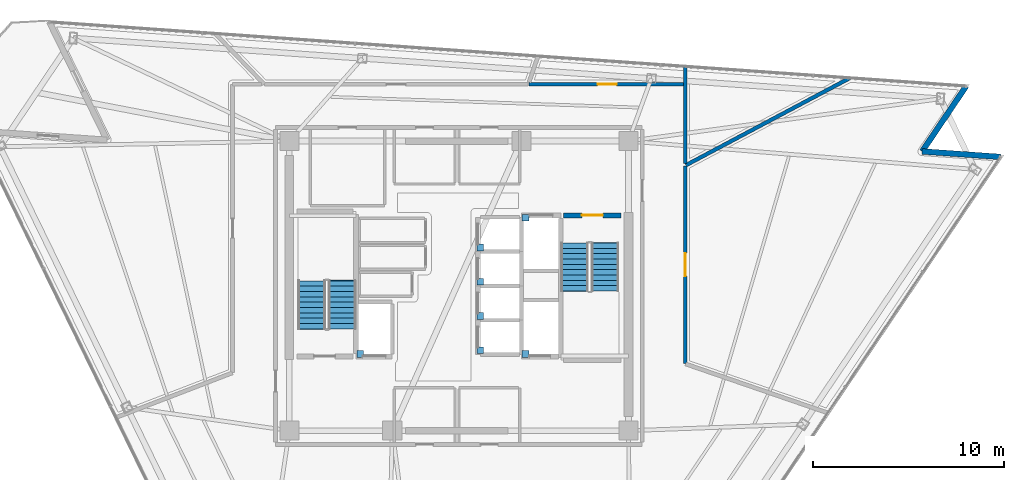
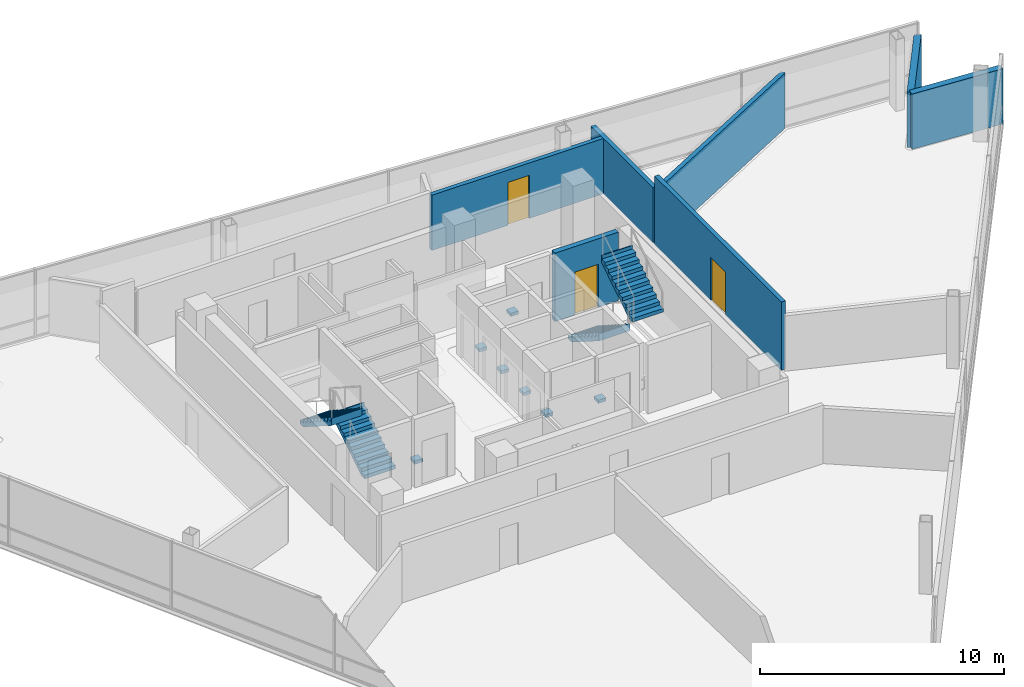
# One storey, part 11 of 14: 7 discrete accessories, 7 walls, 4 stair flights, 3 doors, 3 openings, 2 elements without a shape of their own.
"""IFC4 building model written with IfcOpenShell, lengths in metres."""

from ifc_helpers import new_model, si_unit, direction, frame, frame_2d, origin, origin_2d, place, context, subcontext, project, spatial, polyline, rectangle, outline, extrude, material, layer, layer_set, type_object, element, fill, aggregate, save


model = new_model("IFC4")

# Units and contexts
model_context = context("Model", 3, precision=1e-05, world=origin(), true_north=direction((0.0, 1.0)))
body_context = subcontext(model_context, "Body", "Model", "MODEL_VIEW")
ifc_project = project(units=[si_unit("LENGTHUNIT", "METRE"), si_unit("AREAUNIT", "SQUARE_METRE"), si_unit("VOLUMEUNIT", "CUBIC_METRE"), si_unit("PLANEANGLEUNIT", "RADIAN"), si_unit("MASSUNIT", "GRAM", prefix="KILO")], contexts=[model_context])

# Site, building, storey
site_placement = place(None, origin())
site = spatial("IfcSite", under=ifc_project, at=site_placement, CompositionType="ELEMENT")
building_placement = place(site_placement, origin())
building = spatial("IfcBuilding", under=site, at=building_placement, Name="Tharavind Bronze Gate", CompositionType="ELEMENT")
storey_placement = place(building_placement, frame((0.0, 0.0, 241.449951171875)))
storey = spatial("IfcBuildingStorey", under=building, at=storey_placement, Name="L62", CompositionType="ELEMENT", Elevation=241.449951171875)

# Walls
ifc_material_1 = material(Name="Concrete C40/50", Category="concrete")
ifc_layer_1 = layer(ifc_material_1, 0.300048828125)
ifc_layer_set_1 = layer_set([ifc_layer_1], Name="Concrete C40/50")
wall_type_1 = type_object("IfcWallType", Name="EXTERIOR SPANDREL WALL 300", PredefinedType="STANDARD", material=ifc_layer_set_1)
for number, where, z_axis, x_axis, name in (
    (1, (28.430419921875, 6.77001953125, 0.0), (0.0, 0.0, 1.0), (-0.997561808984, 0.069788518089, 0.0), "L62 notch cheek wall 3A"),
    (2, (24.3125, 7.05810546875, 0.0), (0.0, 0.0, 1.0), (0.559209737351, 0.829026217711, 0.0), "L62 notch cheek wall 3B"),
):
    element("IfcWall", number, at=place(storey_placement, frame(where, z_axis=z_axis, x_axis=x_axis)), inside=storey, type_object=wall_type_1, Name=name, PredefinedType="STANDARD", context=body_context, shape_type="SweptSolid", body=[
        extrude(rectangle(XDim=4.1279296875, YDim=0.300048828125, at=frame_2d((2.06396484375, 0.0))), origin(), (0.0, 0.0, 1.0), 2.76513671875),
    ])

# Wall, opening, door
ifc_material_2 = material(Name="Aerated Concrete Block", Category="concrete")
ifc_layer_2 = layer(ifc_material_2, 0.199951171875)
ifc_layer_set_2 = layer_set([ifc_layer_2], Name="Aerated Concrete Block")
wall_type_2 = type_object("IfcWallType", Name="FIRE RATED PARTITION 200", PredefinedType="PARTITIONING", material=ifc_layer_set_2)
wall_1_placement = place(storey_placement, frame((11.87939453125, 10.580078125, 0.0), z_axis=(0.0, 0.0, 1.0), x_axis=(-1.0, 0.0, 0.0)))
wall_1 = element("IfcWall", 3, at=wall_1_placement, inside=storey, type_object=wall_type_2, Name="L62 Open Plan Law Chambers partition", PredefinedType="PARTITIONING", context=body_context, shape_type="SweptSolid", body=[
    extrude(rectangle(XDim=8.201416015625, YDim=0.199951171875, at=frame_2d((4.1005859375, 0.0))), origin(), (0.0, 0.0, 1.0), 2.76513671875),
])
opening_1_placement = place(wall_1_placement, frame((3.60107421875, 0.0, 0.0)))
opening_1 = element("IfcOpeningElement", 4, at=opening_1_placement, cuts=wall_1, Name="Opening ID04", PredefinedType="OPENING", context=body_context, shape_type="SweptSolid", body=[
    extrude(rectangle(XDim=1.0, YDim=2.14990234375, at=frame_2d((0.5, 1.074951171875))), frame((0.0, 0.11009765625, 0.0), z_axis=(0.0, -1.0, 0.0), x_axis=(1.0, 0.0, 0.0)), (0.0, 0.0, 1.0), 0.219951171875),
])
ifc_material_3 = material(Name="Bronze Framed Acoustic Timber", Category="wood")
door_type_1 = type_object("IfcDoorType", Name="OFFICE TENANCY DOOR 1000X2150", OperationType="SINGLE_SWING_RIGHT", PredefinedType="DOOR", material=ifc_material_3)
door_1_placement = place(opening_1_placement, origin())
door_1 = element("IfcDoor", 5, at=door_1_placement, inside=storey, type_object=door_type_1, Name="L62 Open Plan Law Chambers door", OperationType="SINGLE_SWING_RIGHT", OverallHeight=2.14990234375, OverallWidth=1.0, PredefinedType="DOOR", context=body_context, shape_type="SweptSolid", body=[
    extrude(rectangle(XDim=1.0, YDim=2.14990234375, at=frame_2d((0.5, 1.074951171875))), frame((0.0, 0.02490234375, 0.0), z_axis=(0.0, -1.0, 0.0), x_axis=(1.0, 0.0, 0.0)), (0.0, 0.0, 1.0), 0.050048828125),
])
fill(opening_1, door_1)

# Walls
wall_2_placement = place(storey_placement, frame((20.513671875, 10.9072265625, 0.0), z_axis=(0.0, 0.0, 1.0), x_axis=(-0.882948468197, -0.46946991651, 0.0)))
element("IfcWall", 6, at=wall_2_placement, inside=storey, type_object=wall_type_2, Name="L62 Open Plan Law Chambers partition", PredefinedType="PARTITIONING", context=body_context, shape_type="SweptSolid", body=[
    extrude(rectangle(XDim=9.736572265625, YDim=0.199951171875, at=frame_2d((4.8681640625, 0.0))), origin(), (0.0, 0.0, 1.0), 2.76513671875),
])
wall_3_placement = place(storey_placement, frame((11.8798828125, 6.435546875, 0.0), z_axis=(0.0, 0.0, 1.0), x_axis=(0.0, 1.0, 0.0)))
element("IfcWall", 7, at=wall_3_placement, inside=storey, type_object=wall_type_2, Name="L62 Open Plan Law Chambers partition", PredefinedType="PARTITIONING", context=body_context, shape_type="SweptSolid", body=[
    extrude(rectangle(XDim=5.075439453125, YDim=0.199951171875, at=frame_2d((2.53759765625, 0.0))), origin(), (0.0, 0.0, 1.0), 2.76513671875),
])

# Wall, opening, door
wall_4_placement = place(storey_placement, frame((11.8798828125, -4.07275390625, 0.0), z_axis=(0.0, 0.0, 1.0), x_axis=(0.0, 1.0, 0.0)))
wall_4 = element("IfcWall", 8, at=wall_4_placement, inside=storey, type_object=wall_type_2, Name="L62 Mediation Briefing Room partition", PredefinedType="PARTITIONING", context=body_context, shape_type="SweptSolid", body=[
    extrude(rectangle(XDim=10.37451171875, YDim=0.199951171875, at=frame_2d((5.187255859375, 0.0))), origin(), (0.0, 0.0, 1.0), 3.420166015625),
])
opening_2_placement = place(wall_4_placement, frame((4.5869140625, 0.0, 0.0)))
opening_2 = element("IfcOpeningElement", 9, at=opening_2_placement, cuts=wall_4, Name="Opening ID05", PredefinedType="OPENING", context=body_context, shape_type="SweptSolid", body=[
    extrude(rectangle(XDim=1.199951171875, YDim=2.14990234375, at=frame_2d((0.60009765625, 1.074951171875))), frame((0.0, 0.11009765625, 0.0), z_axis=(0.0, -1.0, 0.0), x_axis=(1.0, 0.0, 0.0)), (0.0, 0.0, 1.0), 0.219951171875),
])
ifc_material_4 = material(Name="Acoustic Laminated Glass", Category="glass")
door_type_2 = type_object("IfcDoorType", Name="MEETING ROOM GLAZED DOOR 1200X2150", OperationType="SINGLE_SWING_LEFT", PredefinedType="DOOR", material=ifc_material_4)
door_2_placement = place(opening_2_placement, origin())
door_2 = element("IfcDoor", 10, at=door_2_placement, inside=storey, type_object=door_type_2, Name="L62 Mediation Briefing Room door", OperationType="SINGLE_SWING_LEFT", OverallHeight=2.14990234375, OverallWidth=1.199951171875, PredefinedType="DOOR", context=body_context, shape_type="SweptSolid", body=[
    extrude(rectangle(XDim=1.199951171875, YDim=2.14990234375, at=frame_2d((0.60009765625, 1.074951171875))), frame((0.0, 0.02490234375, 0.0), z_axis=(0.0, -1.0, 0.0), x_axis=(1.0, 0.0, 0.0)), (0.0, 0.0, 1.0), 0.050048828125),
])
fill(opening_2, door_2)

ifc_material_5 = material(Name="Concrete C50/60", Category="concrete")
ifc_layer_3 = layer(ifc_material_5, 0.25)
ifc_layer_set_3 = layer_set([ifc_layer_3], Name="Concrete C50/60")
wall_type_3 = type_object("IfcWallType", Name="RC CORE SHEAR WALL 250", PredefinedType="SHEAR", material=ifc_layer_set_3)
wall_5_placement = place(storey_placement, frame((5.5, 3.699951171875, 0.0), z_axis=(0.0, 0.0, 1.0), x_axis=(1.0, 0.0, 0.0)))
wall_5 = element("IfcWall", 11, at=wall_5_placement, inside=storey, type_object=wall_type_3, Name="L62 ST2 shaft north wall", PredefinedType="SHEAR", context=body_context, shape_type="SweptSolid", body=[
    extrude(rectangle(XDim=3.0, YDim=0.25, at=frame_2d((1.5, 0.0))), origin(), (0.0, 0.0, 1.0), 3.420166015625),
])
opening_3_placement = place(wall_5_placement, frame((0.949951171875, 0.0, 0.0)))
opening_3 = element("IfcOpeningElement", 12, at=opening_3_placement, cuts=wall_5, Name="Opening ID01", PredefinedType="OPENING", context=body_context, shape_type="SweptSolid", body=[
    extrude(rectangle(XDim=1.10009765625, YDim=2.14990234375, at=frame_2d((0.550048828125, 1.074951171875))), frame((0.0, 0.135, 0.0), z_axis=(0.0, -1.0, 0.0), x_axis=(1.0, 0.0, 0.0)), (0.0, 0.0, 1.0), 0.27),
])
ifc_material_6 = material(Name="Fire-Rated Steel", Category="steel")
door_type_3 = type_object("IfcDoorType", Name="STAIR CORE FIRE DOOR 1100X2150", OperationType="SINGLE_SWING_LEFT", PredefinedType="DOOR", material=ifc_material_6)
door_3_placement = place(opening_3_placement, frame((1.10009765625, 0.0, 0.0), z_axis=(0.0, 0.0, 1.0), x_axis=(-1.0, 0.0, 0.0)))
door_3 = element("IfcDoor", 13, at=door_3_placement, inside=storey, type_object=door_type_3, Name="L62 exit stair ST2 fire door", OperationType="SINGLE_SWING_LEFT", OverallHeight=2.14990234375, OverallWidth=1.10009765625, PredefinedType="DOOR", context=body_context, shape_type="SweptSolid", body=[
    extrude(rectangle(XDim=1.10009765625, YDim=2.14990234375, at=frame_2d((0.550048828125, 1.074951171875))), frame((0.0, 0.02490234375, 0.0), z_axis=(0.0, -1.0, 0.0), x_axis=(1.0, 0.0, 0.0)), (0.0, 0.0, 1.0), 0.050048828125),
])
fill(opening_3, door_3)

# Stair, stair flights
stair_type = type_object("IfcStairType", Name="CORE HALF TURN STAIR 1450", PredefinedType="HALF_TURN_STAIR", material=ifc_material_1)
stair_1_placement = place(storey_placement, origin())
stair_1 = element("IfcStair", 14, at=stair_1_placement, inside=storey, type_object=stair_type, Name="L62 Protected Exit Stair ST1", PredefinedType="HALF_TURN_STAIR")
stair_flight_type = type_object("IfcStairFlightType", Name="CORE STAIR FLIGHT 1450", PredefinedType="STRAIGHT", material=ifc_material_1)
stair_flight_1_placement = place(storey_placement, frame((-6.125, -2.25, 0.0), z_axis=(0.0, 0.0, 1.0), x_axis=(0.0, 1.0, 0.0)))
stair_flight_1 = element("IfcStairFlight", 15, at=stair_flight_1_placement, type_object=stair_flight_type, Name="ST1 flight 1", NumberOfRisers=10, NumberOfTreads=9, PredefinedType="STRAIGHT", RiserHeight=0.18, TreadLength=0.28, context=body_context, shape_type="SweptSolid", body=[
    extrude(outline(polyline([(0.0, 0.0), (0.0, 0.179931640625), (0.280029296875, 0.179931640625), (0.280029296875, 0.360107421875), (0.56005859375, 0.360107421875), (0.56005859375, 0.5400390625), (0.840087890625, 0.5400390625), (0.840087890625, 0.719970703125), (1.1201171875, 0.719970703125), (1.1201171875, 0.89990234375), (1.39990234375, 0.89990234375), (1.39990234375, 1.080078125), (1.679931640625, 1.080078125), (1.679931640625, 1.260009765625), (1.9599609375, 1.260009765625), (1.9599609375, 1.43994140625), (2.239990234375, 1.43994140625), (2.239990234375, 1.6201171875), (2.52001953125, 1.6201171875), (2.52001953125, 1.800048828125), (2.555908203125, 1.800048828125), (2.555908203125, 1.44189453125), (0.277099609375, 0.0), (0.0, 0.0)])), frame((0.0, 0.72509765625, 0.0), z_axis=(0.0, -1.0, 0.0), x_axis=(1.0, 0.0, 0.0)), (0.0, 0.0, 1.0), 1.449951171875),
])
stair_flight_2_placement = place(storey_placement, frame((-7.72509765625, 0.27001953125, 1.800048828125), z_axis=(0.0, 0.0, 1.0), x_axis=(0.0, -1.0, 0.0)))
stair_flight_2 = element("IfcStairFlight", 16, at=stair_flight_2_placement, type_object=stair_flight_type, Name="ST1 flight 2", NumberOfRisers=10, NumberOfTreads=9, PredefinedType="STRAIGHT", RiserHeight=0.18, TreadLength=0.28, context=body_context, shape_type="SweptSolid", body=[
    extrude(outline(polyline([(0.0, 0.0), (0.0, 0.179931640625), (0.280029296875, 0.179931640625), (0.280029296875, 0.360107421875), (0.56005859375, 0.360107421875), (0.56005859375, 0.5400390625), (0.840087890625, 0.5400390625), (0.840087890625, 0.719970703125), (1.1201171875, 0.719970703125), (1.1201171875, 0.89990234375), (1.39990234375, 0.89990234375), (1.39990234375, 1.080078125), (1.679931640625, 1.080078125), (1.679931640625, 1.260009765625), (1.9599609375, 1.260009765625), (1.9599609375, 1.43994140625), (2.239990234375, 1.43994140625), (2.239990234375, 1.6201171875), (2.52001953125, 1.6201171875), (2.52001953125, 1.800048828125), (2.555908203125, 1.800048828125), (2.555908203125, 1.44189453125), (0.277099609375, 0.0), (0.0, 0.0)])), frame((0.0, 0.72509765625, 0.0), z_axis=(0.0, -1.0, 0.0), x_axis=(1.0, 0.0, 0.0)), (0.0, 0.0, 1.0), 1.449951171875),
])
aggregate(stair_1, [stair_flight_1, stair_flight_2])

stair_2_placement = place(storey_placement, origin())
stair_2 = element("IfcStair", 17, at=stair_2_placement, inside=storey, type_object=stair_type, Name="L62 Protected Exit Stair ST2", PredefinedType="HALF_TURN_STAIR")
stair_flight_3_placement = place(storey_placement, frame((6.074951171875, 2.25, 0.0), z_axis=(0.0, 0.0, 1.0), x_axis=(0.0, -1.0, 0.0)))
stair_flight_3 = element("IfcStairFlight", 18, at=stair_flight_3_placement, type_object=stair_flight_type, Name="ST2 flight 1", NumberOfRisers=10, NumberOfTreads=9, PredefinedType="STRAIGHT", RiserHeight=0.18, TreadLength=0.28, context=body_context, shape_type="SweptSolid", body=[
    extrude(outline(polyline([(0.0, 0.0), (0.0, 0.179931640625), (0.280029296875, 0.179931640625), (0.280029296875, 0.360107421875), (0.56005859375, 0.360107421875), (0.56005859375, 0.5400390625), (0.840087890625, 0.5400390625), (0.840087890625, 0.719970703125), (1.1201171875, 0.719970703125), (1.1201171875, 0.89990234375), (1.39990234375, 0.89990234375), (1.39990234375, 1.080078125), (1.679931640625, 1.080078125), (1.679931640625, 1.260009765625), (1.9599609375, 1.260009765625), (1.9599609375, 1.43994140625), (2.239990234375, 1.43994140625), (2.239990234375, 1.6201171875), (2.52001953125, 1.6201171875), (2.52001953125, 1.800048828125), (2.555908203125, 1.800048828125), (2.555908203125, 1.44189453125), (0.277099609375, 0.0), (0.0, 0.0)])), frame((0.0, 0.72509765625, 0.0), z_axis=(0.0, -1.0, 0.0), x_axis=(1.0, 0.0, 0.0)), (0.0, 0.0, 1.0), 1.449951171875),
])
stair_flight_4_placement = place(storey_placement, frame((7.675048828125, -0.27001953125, 1.800048828125), z_axis=(0.0, 0.0, 1.0), x_axis=(0.0, 1.0, 0.0)))
stair_flight_4 = element("IfcStairFlight", 19, at=stair_flight_4_placement, type_object=stair_flight_type, Name="ST2 flight 2", NumberOfRisers=10, NumberOfTreads=9, PredefinedType="STRAIGHT", RiserHeight=0.18, TreadLength=0.28, context=body_context, shape_type="SweptSolid", body=[
    extrude(outline(polyline([(0.0, 0.0), (0.0, 0.179931640625), (0.280029296875, 0.179931640625), (0.280029296875, 0.360107421875), (0.56005859375, 0.360107421875), (0.56005859375, 0.5400390625), (0.840087890625, 0.5400390625), (0.840087890625, 0.719970703125), (1.1201171875, 0.719970703125), (1.1201171875, 0.89990234375), (1.39990234375, 0.89990234375), (1.39990234375, 1.080078125), (1.679931640625, 1.080078125), (1.679931640625, 1.260009765625), (1.9599609375, 1.260009765625), (1.9599609375, 1.43994140625), (2.239990234375, 1.43994140625), (2.239990234375, 1.6201171875), (2.52001953125, 1.6201171875), (2.52001953125, 1.800048828125), (2.555908203125, 1.800048828125), (2.555908203125, 1.44189453125), (0.277099609375, 0.0), (0.0, 0.0)])), frame((0.0, 0.72509765625, 0.0), z_axis=(0.0, -1.0, 0.0), x_axis=(1.0, 0.0, 0.0)), (0.0, 0.0, 1.0), 1.449951171875),
])
aggregate(stair_2, [stair_flight_3, stair_flight_4])

# Discrete accessories
ifc_material_7 = material(Name="Galvanised Steel S355", Category="steel")
discrete_accessory_type = type_object("IfcDiscreteAccessoryType", Name="LIFT GUIDE RAIL BRACKET", PredefinedType="BRACKET", material=ifc_material_7)
for number, where, z_axis, x_axis, name in (
    (20, (1.1201171875, -3.3798828125, 1.1201171875), (0.0, 0.0, 1.0), (1.0, 0.0, 0.0), "Lift PL9 guide rail bracket at L62"),
    (21, (1.1201171875, -1.580078125, 1.1201171875), (0.0, 0.0, 1.0), (1.0, 0.0, 0.0), "Lift PL10 guide rail bracket at L62"),
    (22, (1.1201171875, 0.219970703125, 1.1201171875), (0.0, 0.0, 1.0), (1.0, 0.0, 0.0), "Lift PL11 guide rail bracket at L62"),
    (23, (1.1201171875, 2.02001953125, 1.1201171875), (0.0, 0.0, 1.0), (1.0, 0.0, 0.0), "Lift PL12 guide rail bracket at L62"),
    (24, (-5.179931640625, -3.580078125, 1.1201171875), (0.0, 0.0, 1.0), (1.0, 0.0, 0.0), "Lift FFL1 guide rail bracket at L62"),
    (25, (3.5, 3.580078125, 1.1201171875), (0.0, 0.0, 1.0), (1.0, 0.0, 0.0), "Lift FFL2 guide rail bracket at L62"),
    (26, (3.5, -3.580078125, 1.1201171875), (0.0, 0.0, 1.0), (1.0, 0.0, 0.0), "Lift SVL1 guide rail bracket at L62"),
):
    element("IfcDiscreteAccessory", number, at=place(storey_placement, frame(where, z_axis=z_axis, x_axis=x_axis)), inside=storey, type_object=discrete_accessory_type, Name=name, PredefinedType="BRACKET", context=body_context, shape_type="SweptSolid", body=[
        extrude(rectangle(XDim=0.360107421875, YDim=0.360107421875, at=origin_2d()), origin(), (0.0, 0.0, 1.0), 0.159912109375),
    ])

save(model, "model.ifc")
